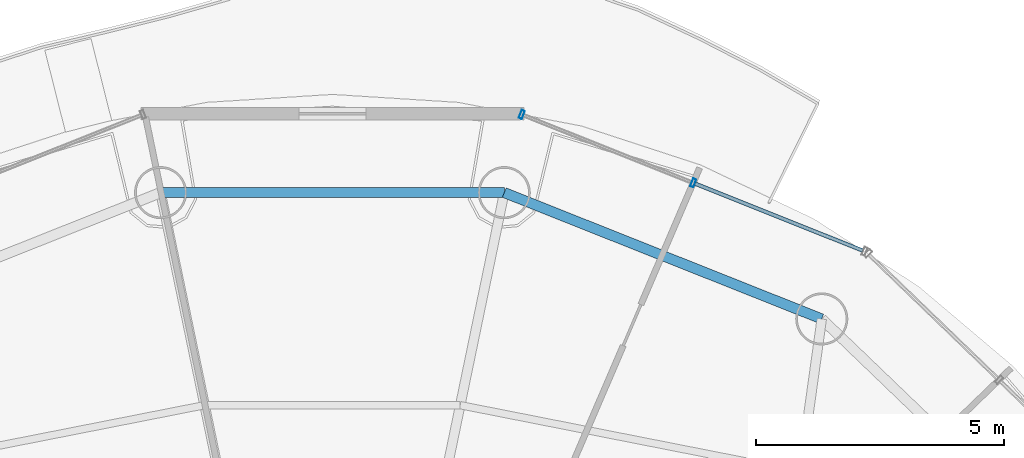
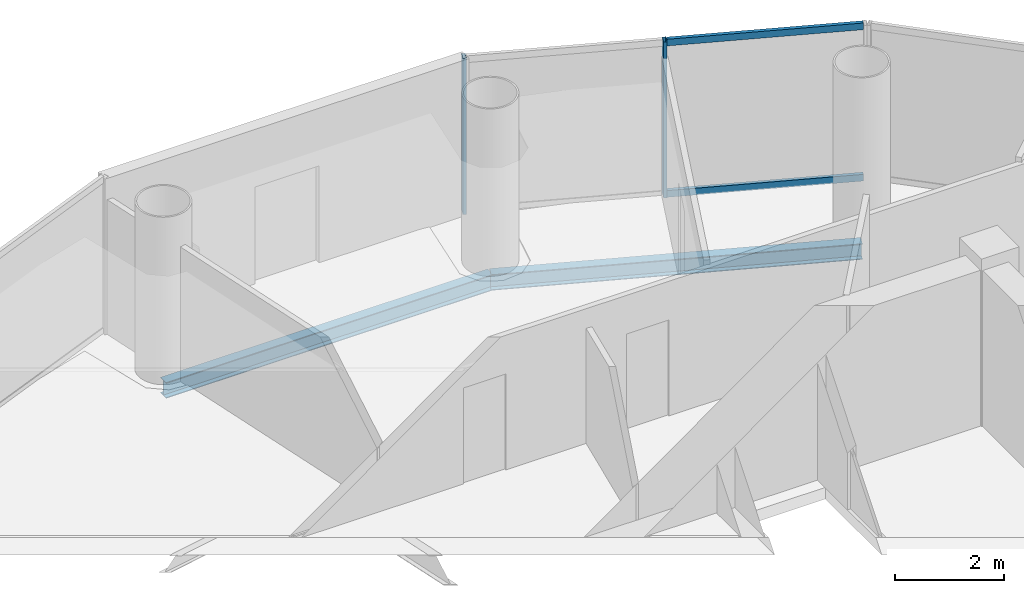
# One storey, part 14 of 23: 4 members, 2 beams, 1 element without a shape of its own.
"""IFC4 building model written with IfcOpenShell, lengths in metres."""

import ifcopenshell
import ifcopenshell.guid

model = None  # the IFC model being written
_history = None  # IfcOwnerHistory: only IFC2X3 demands one
_inside = {}  # id of a spatial element -> (the spatial element, [elements in it])
_under = {}  # id of a project, library or spatial element -> (it, [spatial elements below it])
_declared = {}  # id of a project -> (the project, [libraries it declares])
_typed = {}  # id of a type object -> (the type object, [elements of that type])
_made_of = {}  # id of a material, layer set ... -> (it, [elements and type objects made of it])


def new_model(schema):
    """Start an empty IFC model of exactly this schema.

    Asked for "IFC4X3", IfcOpenShell would pick the latest addendum, in which some entities
    have other attributes; the version numbers below select the first issue.
    IFC2X3 requires an IfcOwnerHistory on every rooted entity: one is made here for all.
    """
    global model, _history
    if schema == "IFC4X3":
        model = ifcopenshell.file(schema_version=(4, 3, 0, 0))
    else:
        model = ifcopenshell.file(schema=schema)
    _inside.clear()
    _under.clear()
    _declared.clear()
    _typed.clear()
    _made_of.clear()
    _history = None
    if model.schema == "IFC2X3":
        org = make("IfcOrganization", Name="unknown")
        user = make(
            "IfcPersonAndOrganization",
            ThePerson=make("IfcPerson", FamilyName="unknown"),
            TheOrganization=org,
        )
        app = make(
            "IfcApplication",
            ApplicationDeveloper=org,
            Version="unknown",
            ApplicationFullName="unknown",
            ApplicationIdentifier="unknown",
        )
        _history = make(
            "IfcOwnerHistory",
            OwningUser=user,
            OwningApplication=app,
            ChangeAction="ADDED",
            CreationDate=0,
        )
    return model


def make(cls, **values):
    """One entity of the class cls with the attributes given. An attribute that is None is left unset."""
    return model.create_entity(
        cls, **{name: value for name, value in values.items() if value is not None}
    )


def rooted(cls, **values):
    """An entity with a GlobalId (a new one), such as an element, a storey or a relation."""
    return make(cls, GlobalId=ifcopenshell.guid.new(), OwnerHistory=_history, **values)


def si_unit(unit_type, name, prefix=None):
    """IfcSIUnit, for example si_unit("LENGTHUNIT", "METRE", prefix="MILLI")."""
    return make("IfcSIUnit", UnitType=unit_type, Prefix=prefix, Name=name)


def assignment(units):
    """IfcUnitAssignment: the units of a project."""
    return None if units is None else make("IfcUnitAssignment", Units=units)


def point(xyz):
    """IfcCartesianPoint."""
    return None if xyz is None else make("IfcCartesianPoint", Coordinates=xyz)


def direction(xyz):
    """IfcDirection."""
    return None if xyz is None else make("IfcDirection", DirectionRatios=xyz)


def frame(location, z_axis=None, x_axis=None):
    """IfcAxis2Placement3D, a coordinate frame: its origin and axes. An axis left out is left unset."""
    return make(
        "IfcAxis2Placement3D",
        Location=point(location),
        Axis=direction(z_axis),
        RefDirection=direction(x_axis),
    )


def frame_2d(location, x_axis=None):
    """IfcAxis2Placement2D, a coordinate frame in the plane: its origin and x axis."""
    return make(
        "IfcAxis2Placement2D", Location=point(location), RefDirection=direction(x_axis)
    )


def origin():
    """The frame at (0, 0, 0) with its axes left unset."""
    return frame((0.0, 0.0, 0.0))


def origin_2d():
    """The frame at (0, 0) in the plane with its x axis left unset."""
    return frame_2d((0.0, 0.0))


def place(relative_to, where):
    """IfcLocalPlacement: puts the frame where relative to a parent placement (None: the world)."""
    return make(
        "IfcLocalPlacement", PlacementRelTo=relative_to, RelativePlacement=where
    )


def context(
    kind, dimensions, precision=None, world=None, true_north=None, identifier=None
):
    """IfcGeometricRepresentationContext, for example the 3D "Model" context."""
    return make(
        "IfcGeometricRepresentationContext",
        ContextIdentifier=identifier,
        ContextType=kind,
        CoordinateSpaceDimension=dimensions,
        Precision=precision,
        WorldCoordinateSystem=world,
        TrueNorth=true_north,
    )


def subcontext(parent, identifier, kind, view, scale=None):
    """IfcGeometricRepresentationSubContext, for example "Body" below "Model"."""
    return make(
        "IfcGeometricRepresentationSubContext",
        ContextIdentifier=identifier,
        ContextType=kind,
        ParentContext=parent,
        TargetScale=scale,
        TargetView=view,
    )


def project(units=None, contexts=None):
    """IfcProject with its units and contexts."""
    return rooted(
        "IfcProject",
        Name="project",
        RepresentationContexts=contexts,
        UnitsInContext=assignment(units),
    )


def spatial(cls, under=None, at=None, **own):
    """A site, building, storey or space (cls), placed at a placement, below another one or the project."""
    s = rooted(cls, ObjectPlacement=at, **own)
    if under is not None:
        _under.setdefault(under.id(), (under, []))[1].append(s)
    return s


def profile(cls, at=None, kind="AREA", **sizes):
    """A parametric profile (cls). Its sizes go by their IFC names, for example OverallWidth=200.0."""
    return make(cls, ProfileType=kind, Position=at, **sizes)


def hollow_rectangle(**sizes):
    """IfcRectangleHollowProfileDef."""
    return profile("IfcRectangleHollowProfileDef", **sizes)


def i_section(**sizes):
    """IfcIShapeProfileDef."""
    return profile("IfcIShapeProfileDef", **sizes)


def extrude(swept, where, along, depth):
    """IfcExtrudedAreaSolid: the profile swept, set in the frame where, extruded along a direction by depth."""
    return make(
        "IfcExtrudedAreaSolid",
        SweptArea=swept,
        Position=where,
        ExtrudedDirection=direction(along),
        Depth=depth,
    )


def shape(context_of_items, identifier, shape_type, items):
    """IfcShapeRepresentation: the items that make up one representation, for example the "Body"."""
    return make(
        "IfcShapeRepresentation",
        ContextOfItems=context_of_items,
        RepresentationIdentifier=identifier,
        RepresentationType=shape_type,
        Items=items,
    )


def source(mapping_origin, context_of_items, identifier, shape_type, items):
    """IfcRepresentationMap: a shape defined once, which mapped items show again and again."""
    return make(
        "IfcRepresentationMap",
        MappingOrigin=mapping_origin,
        MappedRepresentation=shape(context_of_items, identifier, shape_type, items),
    )


def transform(
    local_origin,
    x_axis=None,
    y_axis=None,
    z_axis=None,
    scale=None,
    scale2=None,
    scale3=None,
    uniform=True,
):
    """IfcCartesianTransformationOperator3D, or its non-uniform kind. x_axis, y_axis, z_axis: its Axis1, 2, 3."""
    if uniform:
        return make(
            "IfcCartesianTransformationOperator3D",
            Axis1=direction(x_axis),
            Axis2=direction(y_axis),
            LocalOrigin=point(local_origin),
            Scale=scale,
            Axis3=direction(z_axis),
        )
    return make(
        "IfcCartesianTransformationOperator3DnonUniform",
        Axis1=direction(x_axis),
        Axis2=direction(y_axis),
        LocalOrigin=point(local_origin),
        Scale=scale,
        Axis3=direction(z_axis),
        Scale2=scale2,
        Scale3=scale3,
    )


def mapped(mapping_source, mapping_target):
    """IfcMappedItem: shows the shape of a source again, moved by a transform."""
    return make(
        "IfcMappedItem", MappingSource=mapping_source, MappingTarget=mapping_target
    )


def material(Name=None, Category=None):
    """IfcMaterial."""
    return make("IfcMaterial", Name=Name, Category=Category)


def material_profile(
    of_material, cross_section, Name=None, Category=None, Priority=None
):
    """IfcMaterialProfile: a cross section and its material."""
    return make(
        "IfcMaterialProfile",
        Name=Name,
        Material=of_material,
        Profile=cross_section,
        Priority=Priority,
        Category=Category,
    )


def profile_set(profiles, Name=None, composite=None):
    """IfcMaterialProfileSet."""
    return make(
        "IfcMaterialProfileSet",
        Name=Name,
        MaterialProfiles=profiles,
        CompositeProfile=composite,
    )


def made_of(thing, what):
    """Note that an element or type object is made of a material, layer set ...; save() writes the relation."""
    if what is not None:
        _made_of.setdefault(what.id(), (what, []))[1].append(thing)
    return thing


def type_object(cls, material=None, **own):
    """A type object (cls), such as IfcWallType, which elements share."""
    return made_of(rooted(cls, **own), material)


def element(
    cls,
    number,
    at=None,
    inside=None,
    cuts=None,
    type_object=None,
    material=None,
    context=None,
    identifier="Body",
    shape_type=None,
    held_by="IfcProductDefinitionShape",
    body=None,
    shapes=None,
    **own,
):
    """One element of the class cls, such as IfcWall. Its Tag is "e" and its number.

    at: its placement. inside: the storey or other place that contains it. cuts: it is an
    opening in that element (IfcRelVoidsElement). A single representation is given by context,
    identifier, shape_type and body (its items); several are given by shapes. held_by: the class
    of the entity that holds the representations. save() writes the other relations.
    """
    e = rooted(cls, Tag="e%d" % number, ObjectPlacement=at, **own)
    if body is not None:
        shapes = [shape(context, identifier, shape_type, body)]
    if shapes is not None:
        e.Representation = make(held_by, Representations=shapes)
    if inside is not None:
        _inside.setdefault(inside.id(), (inside, []))[1].append(e)
    if cuts is not None:
        rooted(
            "IfcRelVoidsElement", RelatingBuildingElement=cuts, RelatedOpeningElement=e
        )
    if type_object is not None:
        _typed.setdefault(type_object.id(), (type_object, []))[1].append(e)
    return made_of(e, material)


def aggregate(whole, parts):
    """IfcRelAggregates: a whole, such as a stair, and the parts it consists of."""
    return rooted("IfcRelAggregates", RelatingObject=whole, RelatedObjects=parts)


def save(model, path):
    """Write the relations noted so far, then the file.

    IfcRelAggregates (storeys below a building ...), IfcRelContainedInSpatialStructure (elements
    in a storey), IfcRelDefinesByType, IfcRelAssociatesMaterial and IfcRelDeclares: one each for
    every whole, place, type object, material and project.
    """
    for whole, parts in _under.values():
        aggregate(whole, parts)
    for where, things in _inside.values():
        rooted(
            "IfcRelContainedInSpatialStructure",
            RelatedElements=things,
            RelatingStructure=where,
        )
    for kind, things in _typed.values():
        rooted("IfcRelDefinesByType", RelatedObjects=things, RelatingType=kind)
    for what, things in _made_of.values():
        rooted("IfcRelAssociatesMaterial", RelatedObjects=things, RelatingMaterial=what)
    for by, libraries in _declared.values():
        rooted("IfcRelDeclares", RelatingContext=by, RelatedDefinitions=libraries)
    model.write(path)


model = new_model("IFC4")

# Units and contexts
model_context = context("Model", 3, precision=1e-05, world=origin(), true_north=direction((-0.2419218956, 0.970295726276)))
body_context = subcontext(model_context, "Body", "Model", "MODEL_VIEW")
ifc_project = project(units=[si_unit("LENGTHUNIT", "METRE"), si_unit("AREAUNIT", "SQUARE_METRE"), si_unit("VOLUMEUNIT", "CUBIC_METRE"), si_unit("PLANEANGLEUNIT", "RADIAN"), si_unit("MASSUNIT", "GRAM", prefix="KILO")], contexts=[model_context])

# Site, building, storey
site_placement = place(None, origin())
site = spatial("IfcSite", under=ifc_project, at=site_placement, CompositionType="ELEMENT")
building_placement = place(site_placement, origin())
building = spatial("IfcBuilding", under=site, at=building_placement, Name="Cobrevalo Terracotta Tower", CompositionType="ELEMENT")
storey_placement = place(building_placement, frame((0.0, 0.0, 266.949951171875)))
storey = spatial("IfcBuildingStorey", under=building, at=storey_placement, Name="L70", CompositionType="ELEMENT", Elevation=266.949951171875)

# Beams
ifc_material_1 = material(Name="Steel S355", Category="steel")
ifc_material_profile_1 = material_profile(ifc_material_1, i_section(OverallWidth=0.205078125, OverallDepth=0.35400390625, WebThickness=0.009521484375, FlangeThickness=0.016845703125, at=origin_2d()), Name="W 360x79")
ifc_profile_set_1 = profile_set([ifc_material_profile_1], Name="Steel S355")
beam_type = type_object("IfcBeamType", Name="Structural Spandrel W 360x79 (Steel S355)", PredefinedType="SPANDREL", material=ifc_profile_set_1)
beam_1_placement = place(storey_placement, frame((47.861328125, 40.9765625, -0.43701171875), z_axis=(-0.929149986048, 0.369702993533, 0.0), x_axis=(-0.369702993533, -0.929149986048, 0.0)))
element("IfcBeam", 1, at=beam_1_placement, inside=storey, type_object=beam_type, Name="L70 perimeter ring spandrel 03", PredefinedType="SPANDREL", context=body_context, shape_type="SweptSolid", body=[
    extrude(i_section(OverallWidth=0.205078125, OverallDepth=0.35400390625, WebThickness=0.009521484375, FlangeThickness=0.016845703125, at=origin_2d()), origin(), (0.0, 0.0, 1.0), 6.88623046875),
])
beam_2_placement = place(storey_placement, frame((41.462890625, 43.5224609375, -0.43701171875), z_axis=(-1.0, 0.0, 0.0), x_axis=(0.0, -1.0, 0.0)))
element("IfcBeam", 2, at=beam_2_placement, inside=storey, type_object=beam_type, Name="L70 perimeter ring spandrel 04", PredefinedType="SPANDREL", context=body_context, shape_type="SweptSolid", body=[
    extrude(i_section(OverallWidth=0.205078125, OverallDepth=0.35400390625, WebThickness=0.009521484375, FlangeThickness=0.016845703125, at=origin_2d()), origin(), (0.0, 0.0, 1.0), 6.92578125),
])

# Curtain wall, members
ifc_material_2 = material(Name="Anodized aluminium", Category="aluminium")
curtain_wall_type = type_object("IfcCurtainWallType", Name="Upper-tower triple-glazed penthouse curtain wall CW-U3", PredefinedType="NOTDEFINED", material=ifc_material_2)
curtain_wall_placement = place(storey_placement, origin())
curtain_wall = element("IfcCurtainWall", 3, at=curtain_wall_placement, inside=storey, type_object=curtain_wall_type, Name="L70 curtain wall CW-L70-S03", PredefinedType="NOTDEFINED")
ifc_material_profile_2 = material_profile(ifc_material_2, hollow_rectangle(XDim=0.070068359375, YDim=0.169921875, WallThickness=0.00439453125, at=origin_2d()), Name="CWM 70x170")
ifc_profile_set_2 = profile_set([ifc_material_profile_2], Name="Anodized aluminium")
member_type_1 = type_object("IfcMemberType", Name="Upper tower unitised mullion 70x170", PredefinedType="MULLION", material=ifc_profile_set_2)
shared_shape_1 = source(origin(), body_context, "Body", "SweptSolid", [
    extrude(hollow_rectangle(XDim=0.070068359375, YDim=0.169921875, WallThickness=0.00439453125, at=origin_2d()), origin(), (0.0, 0.0, 1.0), 3.489990234375),
])
member_1_placement = place(storey_placement, frame((45.270263671875, 43.71728515625, 0.0), z_axis=(0.0, 0.0, 1.0), x_axis=(-0.928718980883, 0.370784377433, 0.0)))
member_1 = element("IfcMember", 4, at=member_1_placement, type_object=member_type_1, Name="CW-L70-S03 vertical mullion 02", PredefinedType="MULLION", context=body_context, shape_type="MappedRepresentation", body=[
    mapped(shared_shape_1, transform((0.0, 0.0, 0.0), scale=1.0)),
])
member_2_placement = place(storey_placement, frame((41.816162109375, 45.096435546875, 0.0), z_axis=(0.0, 0.0, 1.0), x_axis=(-0.928718980883, 0.370784377433, 0.0)))
member_2 = element("IfcMember", 5, at=member_2_placement, type_object=member_type_1, Name="CW-L70-S03 vertical mullion 03", PredefinedType="MULLION", context=body_context, shape_type="MappedRepresentation", body=[
    mapped(shared_shape_1, transform((0.0, 0.0, 0.0), scale=1.0)),
])
ifc_material_profile_3 = material_profile(ifc_material_2, hollow_rectangle(XDim=0.074951171875, YDim=0.14990234375, WallThickness=0.00439453125, at=origin_2d()), Name="CWT 75x150")
ifc_profile_set_3 = profile_set([ifc_material_profile_3], Name="Anodized aluminium")
member_type_2 = type_object("IfcMemberType", Name="Tower unitised aluminium transom 75x150", PredefinedType="USERDEFINED", material=ifc_profile_set_3)
shared_shape_2 = source(origin(), body_context, "Body", "SweptSolid", [
    extrude(hollow_rectangle(XDim=0.074951171875, YDim=0.14990234375, WallThickness=0.00439453125, at=origin_2d()), origin(), (0.0, 0.0, 1.0), 3.63916015625),
])
member_3_placement = place(storey_placement, frame((48.68701171875, 42.353271484375, 0.050048828125), z_axis=(-0.928712471544, 0.370800681227, 0.0), x_axis=(-0.370800681227, -0.928712471544, 0.0)))
member_3 = element("IfcMember", 6, at=member_3_placement, type_object=member_type_2, Name="CW-L70-S03 transom B01-T1", ObjectType="TRANSOM", PredefinedType="USERDEFINED", context=body_context, shape_type="MappedRepresentation", body=[
    mapped(shared_shape_2, transform((0.0, 0.0, 0.0), scale=1.0)),
])
member_4_placement = place(storey_placement, frame((48.68701171875, 42.353271484375, 3.43994140625), z_axis=(-0.928712471544, 0.370800681227, 0.0), x_axis=(-0.370800681227, -0.928712471544, 0.0)))
member_4 = element("IfcMember", 7, at=member_4_placement, type_object=member_type_2, Name="CW-L70-S03 transom B01-T2", ObjectType="TRANSOM", PredefinedType="USERDEFINED", context=body_context, shape_type="MappedRepresentation", body=[
    mapped(shared_shape_2, transform((0.0, 0.0, 0.0), scale=1.0)),
])
aggregate(curtain_wall, [member_1, member_2, member_3, member_4])

save(model, "model.ifc")
